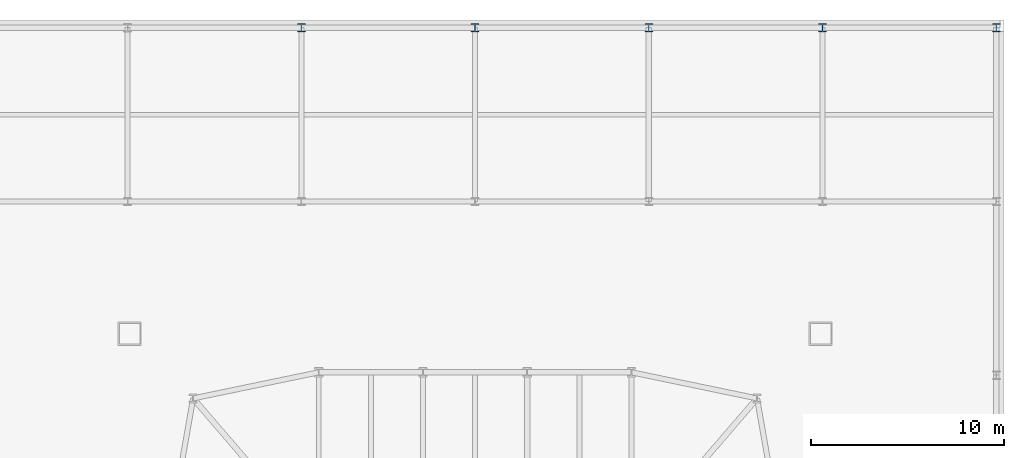
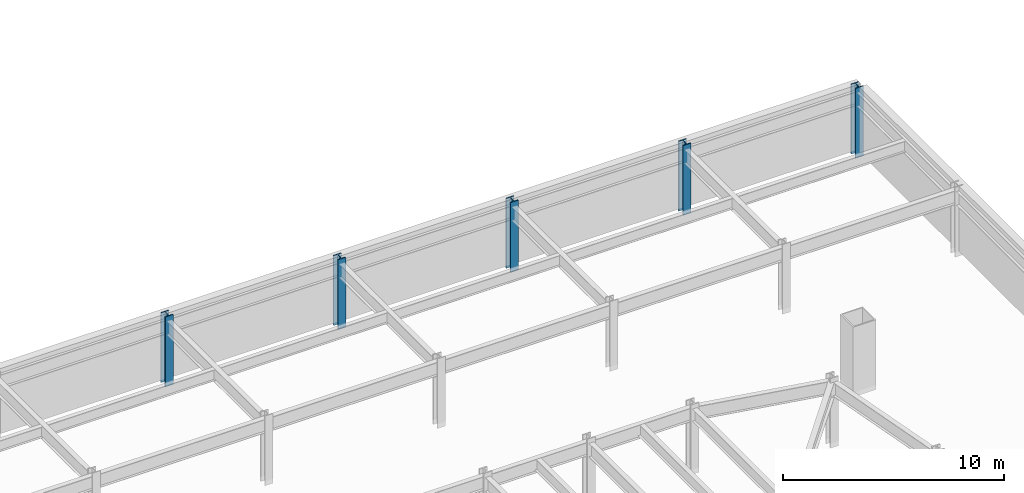
# One storey, part 5 of 35: 5 columns.
"""IFC4 building model written with IfcOpenShell, lengths in metres."""

from ifc_helpers import new_model, si_unit, direction, frame, origin, origin_2d, place, context, subcontext, project, spatial, i_section, extrude, material, material_profile, profile_set, type_object, element, save


model = new_model("IFC4")

# Units and contexts
model_context = context("Model", 3, precision=1e-05, world=origin(), true_north=direction((0.0, 1.0)))
body_context = subcontext(model_context, "Body", "Model", "MODEL_VIEW")
ifc_project = project(units=[si_unit("LENGTHUNIT", "METRE"), si_unit("AREAUNIT", "SQUARE_METRE"), si_unit("VOLUMEUNIT", "CUBIC_METRE"), si_unit("PLANEANGLEUNIT", "RADIAN"), si_unit("MASSUNIT", "GRAM", prefix="KILO")], contexts=[model_context])

# Site, building, storey
site_placement = place(None, origin())
site = spatial("IfcSite", under=ifc_project, at=site_placement, CompositionType="ELEMENT")
building_placement = place(site_placement, origin())
building = spatial("IfcBuilding", under=site, at=building_placement, Name="Iwan Alto Co-Living Towers", CompositionType="ELEMENT")
storey_placement = place(building_placement, frame((0.0, 0.0, -7.199951171875)))
storey = spatial("IfcBuildingStorey", under=building, at=storey_placement, Name="B2", CompositionType="ELEMENT", Elevation=-7.199951171875)

# Columns
ifc_material = material(Name="Steel ASTM A992 Gr 50", Category="steel")
ifc_material_profile = material_profile(ifc_material, i_section(OverallWidth=0.411376953125, OverallDepth=0.434326171875, WebThickness=0.035888671875, FlangeThickness=0.057373046875, at=origin_2d()), Name="W14X311")
ifc_profile_set = profile_set([ifc_material_profile], Name="Steel ASTM A992 Gr 50")
column_type = type_object("IfcColumnType", Name="PODIUM COLUMN W14X311", PredefinedType="COLUMN", material=ifc_profile_set)
for number, where, z_axis, x_axis, name in (
    (1, (54.0, 36.0, -0.25), (0.0, 0.0, 1.0), (1.0, 0.0, 0.0), "Podium column 11/I B2"),
    (2, (63.0, 36.0, -0.25), (0.0, 0.0, 1.0), (1.0, 0.0, 0.0), "Podium column 12/I B2"),
    (3, (72.0, 36.0, -0.25), (0.0, 0.0, 1.0), (1.0, 0.0, 0.0), "Podium column 13/I B2"),
    (4, (81.0, 36.0, -0.25), (0.0, 0.0, 1.0), (1.0, 0.0, 0.0), "Podium column 14/I B2"),
    (5, (90.0, 36.0, -0.25), (0.0, 0.0, 1.0), (1.0, 0.0, 0.0), "Podium column 15/I B2"),
):
    element("IfcColumn", number, at=place(storey_placement, frame(where, z_axis=z_axis, x_axis=x_axis)), inside=storey, type_object=column_type, Name=name, PredefinedType="COLUMN", context=body_context, shape_type="SweptSolid", body=[
        extrude(i_section(OverallWidth=0.411376953125, OverallDepth=0.434326171875, WebThickness=0.035888671875, FlangeThickness=0.057373046875, at=origin_2d()), origin(), (0.0, 0.0, 1.0), 3.849853515625),
    ])

save(model, "model.ifc")
